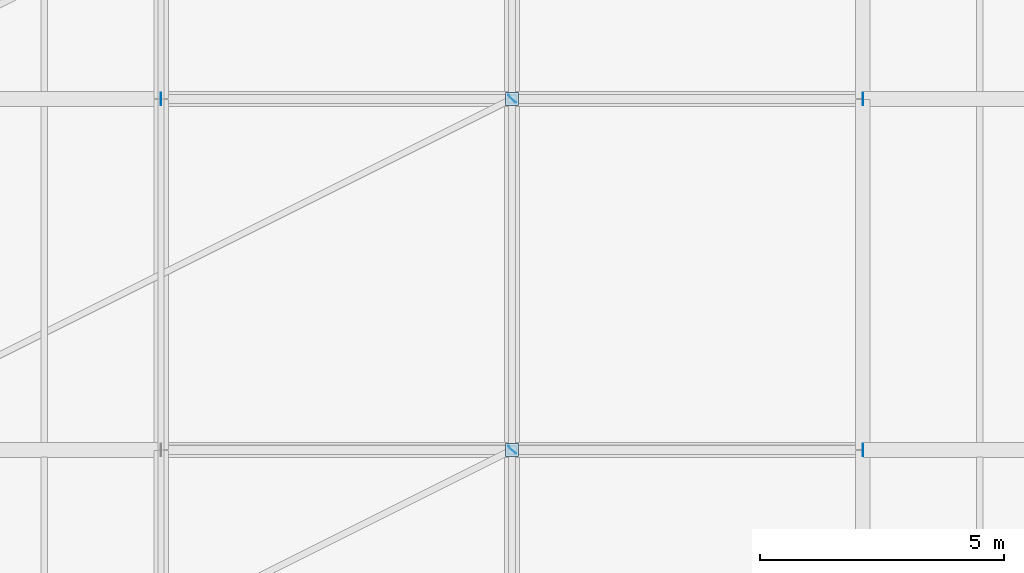
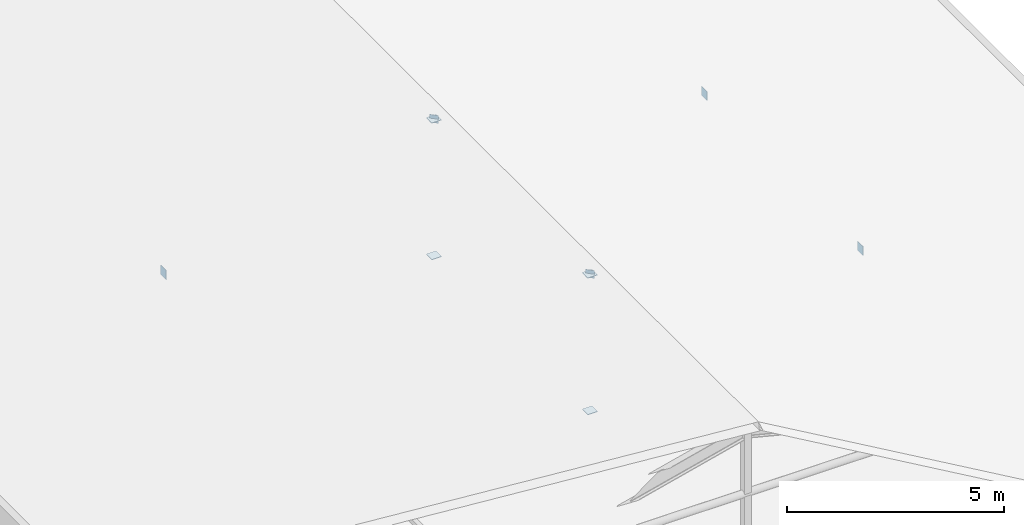
# One storey, part 28 of 44: 9 plates.
"""IFC4 building model written with IfcOpenShell, lengths in metres."""

from ifc_helpers import new_model, si_unit, direction, frame, origin, origin_2d, place, context, subcontext, project, spatial, rectangle, extrude, material, layer, layer_set, type_object, element, save


model = new_model("IFC4")

# Units and contexts
model_context = context("Model", 3, precision=1e-05, world=origin(), true_north=direction((0.0, 1.0)))
body_context = subcontext(model_context, "Body", "Model", "MODEL_VIEW")
ifc_project = project(units=[si_unit("LENGTHUNIT", "METRE"), si_unit("AREAUNIT", "SQUARE_METRE"), si_unit("VOLUMEUNIT", "CUBIC_METRE"), si_unit("PLANEANGLEUNIT", "RADIAN"), si_unit("MASSUNIT", "GRAM", prefix="KILO")], contexts=[model_context])

# Site, building, storey
site_placement = place(None, origin())
site = spatial("IfcSite", under=ifc_project, at=site_placement, CompositionType="ELEMENT")
building_placement = place(site_placement, origin())
building = spatial("IfcBuilding", under=site, at=building_placement, Name="Narikvali Park Central Library", CompositionType="ELEMENT")
storey_placement = place(building_placement, frame((0.0, 0.0, 22.800048828125)))
storey = spatial("IfcBuildingStorey", under=building, at=storey_placement, Name="L05", CompositionType="ELEMENT", Elevation=22.800048828125)

# Plates
ifc_material = material(Name="Steel S355", Category="steel")
ifc_layer = layer(ifc_material, 0.013916015625, Name="Steel S355")
ifc_layer_set = layer_set([ifc_layer], Name="Steel S355")
plate_type = type_object("IfcPlateType", Name="Steel Hollow End Cap Plate 14", PredefinedType="SHEET", material=ifc_layer_set)
plate_1_placement = place(storey_placement, frame((43.202392578125, 72.002197265625, 3.4921875), z_axis=(0.0, 0.0, 1.0), x_axis=(0.707106781187, -0.707106781187, 0.0)))
element("IfcPlate", 1, at=plate_1_placement, inside=storey, type_object=plate_type, Name="Hollow Section Steel End Cap V4-WBCAP-1-1", PredefinedType="SHEET", context=body_context, shape_type="SweptSolid", body=[
    extrude(rectangle(XDim=0.219970703125, YDim=0.013916015625, at=origin_2d()), origin(), (0.0, 0.0, 1.0), 0.219970703125),
])
for number, where, z_axis, x_axis, name in (
    (2, (43.199951171875, 72.0, -0.2509765625), (0.0, 0.0, 1.0), (1.0, 0.0, 0.0), "Hollow Section Steel End Cap V4-KPCAP-B-2"),
    (3, (43.199951171875, 72.0, 3.59716796875), (0.0, 0.0, 1.0), (1.0, 0.0, 0.0), "Hollow Section Steel End Cap V4-KPCAP-T-2"),
):
    element("IfcPlate", number, at=place(storey_placement, frame(where, z_axis=z_axis, x_axis=x_axis)), inside=storey, type_object=plate_type, Name=name, PredefinedType="SHEET", context=body_context, shape_type="SweptSolid", body=[
        extrude(rectangle(XDim=0.260009765625, YDim=0.260009765625, at=origin_2d()), origin(), (0.0, 0.0, 1.0), 0.013916015625),
    ])
plate_2_placement = place(storey_placement, frame((50.404052734375, 72.0, 1.669921875), z_axis=(0.0, 0.0, 1.0), x_axis=(1.0, 0.0, 0.0)))
element("IfcPlate", 4, at=plate_2_placement, inside=storey, type_object=plate_type, Name="Hollow Section Steel End Cap V4-CTCAP-E-2", PredefinedType="SHEET", context=body_context, shape_type="SweptSolid", body=[
    extrude(rectangle(XDim=0.013916015625, YDim=0.260009765625, at=origin_2d()), origin(), (0.0, 0.0, 1.0), 0.260009765625),
])
plate_3_placement = place(storey_placement, frame((43.202392578125, 79.202392578125, 3.4921875), z_axis=(0.0, 0.0, 1.0), x_axis=(0.707106781187, -0.707106781187, 0.0)))
element("IfcPlate", 5, at=plate_3_placement, inside=storey, type_object=plate_type, Name="Hollow Section Steel End Cap V4-WBCAP-1-2", PredefinedType="SHEET", context=body_context, shape_type="SweptSolid", body=[
    extrude(rectangle(XDim=0.219970703125, YDim=0.013916015625, at=origin_2d()), origin(), (0.0, 0.0, 1.0), 0.219970703125),
])
for number, where, z_axis, x_axis, name in (
    (6, (43.199951171875, 79.199951171875, -0.2509765625), (0.0, 0.0, 1.0), (1.0, 0.0, 0.0), "Hollow Section Steel End Cap V4-KPCAP-B-3"),
    (7, (43.199951171875, 79.199951171875, 3.59716796875), (0.0, 0.0, 1.0), (1.0, 0.0, 0.0), "Hollow Section Steel End Cap V4-KPCAP-T-3"),
):
    element("IfcPlate", number, at=place(storey_placement, frame(where, z_axis=z_axis, x_axis=x_axis)), inside=storey, type_object=plate_type, Name=name, PredefinedType="SHEET", context=body_context, shape_type="SweptSolid", body=[
        extrude(rectangle(XDim=0.260009765625, YDim=0.260009765625, at=origin_2d()), origin(), (0.0, 0.0, 1.0), 0.013916015625),
    ])
for number, where, z_axis, x_axis, name in (
    (8, (35.99609375, 79.199951171875, 1.669921875), (0.0, 0.0, 1.0), (-1.0, 0.0, 0.0), "Hollow Section Steel End Cap V4-CTCAP-W-3"),
    (9, (50.404052734375, 79.199951171875, 1.669921875), (0.0, 0.0, 1.0), (1.0, 0.0, 0.0), "Hollow Section Steel End Cap V4-CTCAP-E-3"),
):
    element("IfcPlate", number, at=place(storey_placement, frame(where, z_axis=z_axis, x_axis=x_axis)), inside=storey, type_object=plate_type, Name=name, PredefinedType="SHEET", context=body_context, shape_type="SweptSolid", body=[
        extrude(rectangle(XDim=0.013916015625, YDim=0.260009765625, at=origin_2d()), origin(), (0.0, 0.0, 1.0), 0.260009765625),
    ])

save(model, "model.ifc")
